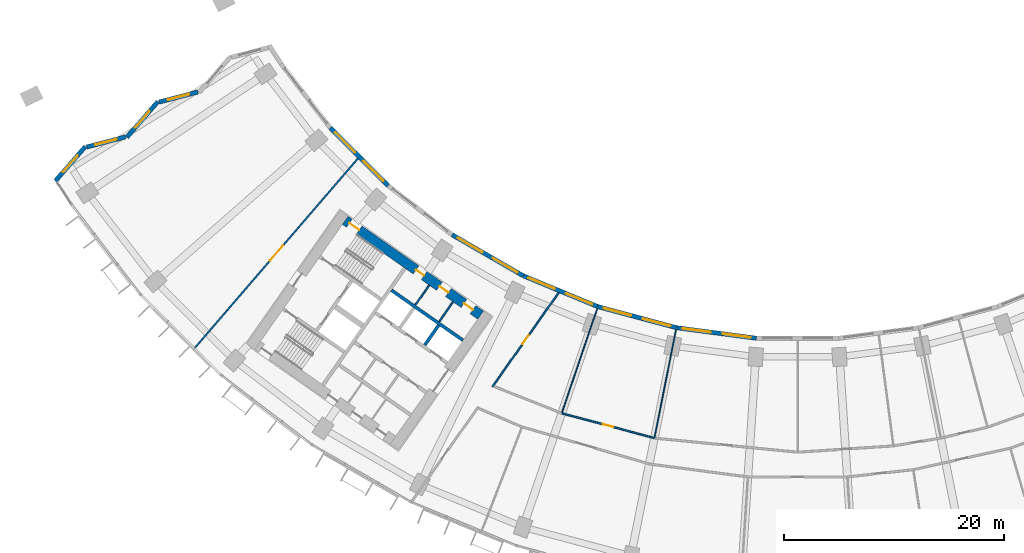
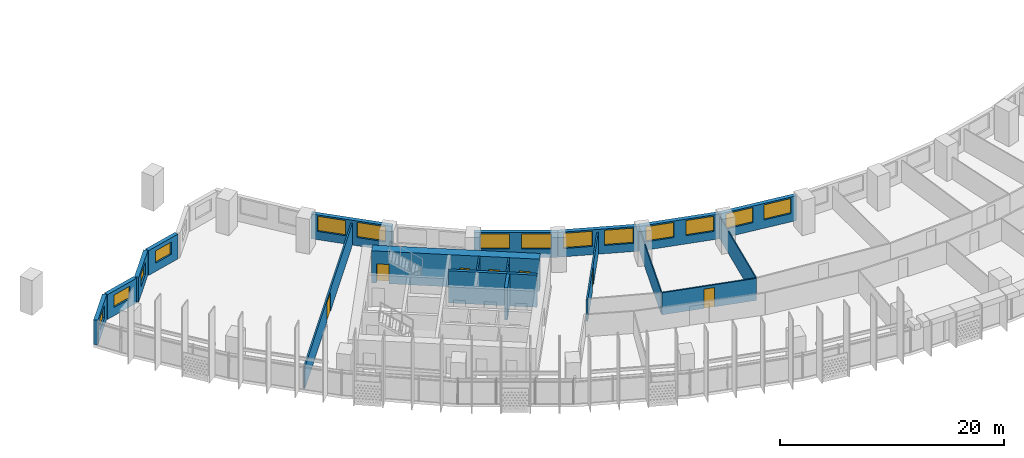
# One storey, part 4 of 32: 19 walls, 14 windows, 7 doors, 21 openings.
"""IFC4 building model written with IfcOpenShell, lengths in metres."""

from ifc_helpers import new_model, si_unit, direction, frame, frame_2d, origin, place, context, subcontext, project, spatial, rectangle, extrude, material, layer, layer_set, type_object, element, fill, save


model = new_model("IFC4")

# Units and contexts
model_context = context("Model", 3, precision=1e-05, world=origin(), true_north=direction((0.0, 1.0)))
body_context = subcontext(model_context, "Body", "Model", "MODEL_VIEW")
ifc_project = project(units=[si_unit("LENGTHUNIT", "METRE"), si_unit("AREAUNIT", "SQUARE_METRE"), si_unit("VOLUMEUNIT", "CUBIC_METRE"), si_unit("PLANEANGLEUNIT", "RADIAN"), si_unit("MASSUNIT", "GRAM", prefix="KILO")], contexts=[model_context])

# Site, building, storey
site_placement = place(None, origin())
site = spatial("IfcSite", under=ifc_project, at=site_placement, CompositionType="ELEMENT")
building_placement = place(site_placement, origin())
building = spatial("IfcBuilding", under=site, at=building_placement, Name="Qamariyya Broadcast Tower", CompositionType="ELEMENT")
storey_placement = place(building_placement, frame((0.0, 0.0, 63.300048828125)))
storey = spatial("IfcBuildingStorey", under=building, at=storey_placement, Name="L12", CompositionType="ELEMENT", Elevation=63.300048828125)

# Wall, openings, doors
ifc_material_1 = material(Name="Concrete C70/85", Category="concrete")
ifc_layer_1 = layer(ifc_material_1, 0.89990234375)
ifc_layer_set_1 = layer_set([ifc_layer_1], Name="Core wall 900 mm Concrete C70/85")
wall_type_1 = type_object("IfcWallType", Name="Core wall 900 mm Concrete C70/85", PredefinedType="SHEAR", material=ifc_layer_set_1)
wall_1_placement = place(storey_placement, frame((-28.8544921875, -54.32421875, 0.0), z_axis=(0.0, 0.0, 1.0), x_axis=(-0.819145767589, 0.573585400304, 0.0)))
wall_1 = element("IfcWall", 1, at=wall_1_placement, inside=storey, type_object=wall_type_1, Name="k-W-L12-WI", PredefinedType="SHEAR", context=body_context, shape_type="SweptSolid", body=[
    extrude(rectangle(XDim=15.04541015625, YDim=0.89990234375, at=frame_2d((7.522705078125, 0.0))), origin(), (0.0, 0.0, 1.0), 3.5),
])
opening_1_placement = place(wall_1_placement, frame((0.85009765625, 0.0, 0.0)))
opening_1 = element("IfcOpeningElement", 2, at=opening_1_placement, cuts=wall_1, Name="Opening KD6-W3", PredefinedType="OPENING", context=body_context, shape_type="SweptSolid", body=[
    extrude(rectangle(XDim=1.0, YDim=2.10009765625, at=frame_2d((0.5, 1.050048828125))), frame((0.0, 0.4599609375, 0.0), z_axis=(0.0, -1.0, 0.0), x_axis=(1.0, 0.0, 0.0)), (0.0, 0.0, 1.0), 0.919921875),
])
opening_2_placement = place(wall_1_placement, frame((3.574951171875, 0.0, 0.0)))
opening_2 = element("IfcOpeningElement", 3, at=opening_2_placement, cuts=wall_1, Name="Opening KD7-W1", PredefinedType="OPENING", context=body_context, shape_type="SweptSolid", body=[
    extrude(rectangle(XDim=1.0, YDim=2.10009765625, at=frame_2d((0.5, 1.050048828125))), frame((0.0, 0.4599609375, 0.0), z_axis=(0.0, -1.0, 0.0), x_axis=(1.0, 0.0, 0.0)), (0.0, 0.0, 1.0), 0.919921875),
])
opening_3_placement = place(wall_1_placement, frame((6.27490234375, 0.0, 0.0)))
opening_3 = element("IfcOpeningElement", 4, at=opening_3_placement, cuts=wall_1, Name="Opening KD5-W1", PredefinedType="OPENING", context=body_context, shape_type="SweptSolid", body=[
    extrude(rectangle(XDim=0.89990234375, YDim=2.10009765625, at=frame_2d((0.449951171875, 1.050048828125))), frame((0.0, 0.4599609375, 0.0), z_axis=(0.0, -1.0, 0.0), x_axis=(1.0, 0.0, 0.0)), (0.0, 0.0, 1.0), 0.919921875),
])
opening_4_placement = place(wall_1_placement, frame((13.495361328125, 0.0, 0.0)))
opening_4 = element("IfcOpeningElement", 5, at=opening_4_placement, cuts=wall_1, Name="Opening KD1-W1", PredefinedType="OPENING", context=body_context, shape_type="SweptSolid", body=[
    extrude(rectangle(XDim=1.10009765625, YDim=2.10009765625, at=frame_2d((0.550048828125, 1.050048828125))), frame((0.0, 0.4599609375, 0.0), z_axis=(0.0, -1.0, 0.0), x_axis=(1.0, 0.0, 0.0)), (0.0, 0.0, 1.0), 0.919921875),
])
ifc_material_2 = material(Name="Steel fire-resisting door leaf", Category="steel")
door_type_1 = type_object("IfcDoorType", Name="Accessible toilet door KD7", OperationType="SINGLE_SWING_LEFT", PredefinedType="DOOR", material=ifc_material_2)
door_1_placement = place(opening_2_placement, origin())
door_1 = element("IfcDoor", 6, at=door_1_placement, inside=storey, type_object=door_type_1, Name="k-W-L12-WI-D9", OperationType="SINGLE_SWING_RIGHT", OverallHeight=2.10009765625, OverallWidth=1.0, PredefinedType="DOOR", context=body_context, shape_type="SweptSolid", body=[
    extrude(rectangle(XDim=1.0, YDim=2.10009765625, at=frame_2d((0.5, 1.050048828125))), frame((0.0, 0.02490234375, 0.0), z_axis=(0.0, -1.0, 0.0), x_axis=(1.0, 0.0, 0.0)), (0.0, 0.0, 1.0), 0.050048828125),
])
fill(opening_2, door_1)
door_type_2 = type_object("IfcDoorType", Name="Core room door KD6", OperationType="SINGLE_SWING_LEFT", PredefinedType="DOOR", material=ifc_material_2)
door_2_placement = place(opening_1_placement, origin())
door_2 = element("IfcDoor", 7, at=door_2_placement, inside=storey, type_object=door_type_2, Name="k-W-L12-WI-D8", OperationType="SINGLE_SWING_LEFT", OverallHeight=2.10009765625, OverallWidth=1.0, PredefinedType="DOOR", context=body_context, shape_type="SweptSolid", body=[
    extrude(rectangle(XDim=1.0, YDim=2.10009765625, at=frame_2d((0.5, 1.050048828125))), frame((0.0, 0.02490234375, 0.0), z_axis=(0.0, -1.0, 0.0), x_axis=(1.0, 0.0, 0.0)), (0.0, 0.0, 1.0), 0.050048828125),
])
fill(opening_1, door_2)
door_type_3 = type_object("IfcDoorType", Name="Stair door KD1", OperationType="SINGLE_SWING_LEFT", PredefinedType="DOOR", material=ifc_material_2)
door_3_placement = place(opening_4_placement, origin())
door_3 = element("IfcDoor", 8, at=door_3_placement, inside=storey, type_object=door_type_3, Name="k-W-L12-WI-D17", OperationType="SINGLE_SWING_RIGHT", OverallHeight=2.10009765625, OverallWidth=1.10009765625, PredefinedType="DOOR", context=body_context, shape_type="SweptSolid", body=[
    extrude(rectangle(XDim=1.10009765625, YDim=2.10009765625, at=frame_2d((0.550048828125, 1.050048828125))), frame((0.0, 0.02490234375, 0.0), z_axis=(0.0, -1.0, 0.0), x_axis=(1.0, 0.0, 0.0)), (0.0, 0.0, 1.0), 0.050048828125),
])
fill(opening_4, door_3)
door_type_4 = type_object("IfcDoorType", Name="Toilet door KD5", OperationType="SINGLE_SWING_LEFT", PredefinedType="DOOR", material=ifc_material_2)
door_4_placement = place(opening_3_placement, origin())
door_4 = element("IfcDoor", 9, at=door_4_placement, inside=storey, type_object=door_type_4, Name="k-W-L12-WI-D10", OperationType="SINGLE_SWING_LEFT", OverallHeight=2.10009765625, OverallWidth=0.89990234375, PredefinedType="DOOR", context=body_context, shape_type="SweptSolid", body=[
    extrude(rectangle(XDim=0.89990234375, YDim=2.10009765625, at=frame_2d((0.449951171875, 1.050048828125))), frame((0.0, 0.02490234375, 0.0), z_axis=(0.0, -1.0, 0.0), x_axis=(1.0, 0.0, 0.0)), (0.0, 0.0, 1.0), 0.050048828125),
])
fill(opening_3, door_4)

# Wall, opening, door
ifc_material_3 = material(Name="Gypsum board partition")
ifc_layer_2 = layer(ifc_material_3, 0.14990234375)
ifc_layer_set_2 = layer_set([ifc_layer_2], Name="Corridor partition 150 EI 60")
wall_type_2 = type_object("IfcWallType", Name="Corridor partition 150 EI 60", PredefinedType="PARTITIONING", material=ifc_layer_set_2)
wall_2_placement = place(storey_placement, frame((-54.842041015625, -57.27685546875, 0.0), z_axis=(0.0, 0.0, 1.0), x_axis=(0.652471531746, 0.757813235739, 0.0)))
wall_2 = element("IfcWall", 10, at=wall_2_placement, inside=storey, type_object=wall_type_2, Name="Partition L12-001", PredefinedType="PARTITIONING", context=body_context, shape_type="SweptSolid", body=[
    extrude(rectangle(XDim=22.71484375, YDim=0.14990234375, at=frame_2d((11.357421875, 0.0))), origin(), (0.0, 0.0, 1.0), 2.39990234375),
])
opening_5_placement = place(wall_2_placement, frame((10.45751953125, 0.0, 0.0)))
opening_5 = element("IfcOpeningElement", 11, at=opening_5_placement, cuts=wall_2, Name="Opening L12-D14", PredefinedType="OPENING", context=body_context, shape_type="SweptSolid", body=[
    extrude(rectangle(XDim=1.800048828125, YDim=2.10009765625, at=frame_2d((0.89990234375, 1.050048828125))), frame((0.0, 0.0849609375, 0.0), z_axis=(0.0, -1.0, 0.0), x_axis=(1.0, 0.0, 0.0)), (0.0, 0.0, 1.0), 0.169921875),
])
ifc_material_4 = material(Name="Timber fire door leaf", Category="wood")
door_type_5 = type_object("IfcDoorType", Name="Double fire door 1800 x 2100 FD60", OperationType="NOTDEFINED", PredefinedType="DOOR", material=ifc_material_4)
door_5_placement = place(opening_5_placement, origin())
door_5 = element("IfcDoor", 12, at=door_5_placement, inside=storey, type_object=door_type_5, Name="Door L12-D14", OperationType="DOUBLE_DOOR_SINGLE_SWING", OverallHeight=2.10009765625, OverallWidth=1.800048828125, PredefinedType="DOOR", context=body_context, shape_type="SweptSolid", body=[
    extrude(rectangle(XDim=1.800048828125, YDim=2.10009765625, at=frame_2d((0.89990234375, 1.050048828125))), frame((0.0, 0.02490234375, 0.0), z_axis=(0.0, -1.0, 0.0), x_axis=(1.0, 0.0, 0.0)), (0.0, 0.0, 1.0), 0.050048828125),
])
fill(opening_5, door_5)

wall_3_placement = place(storey_placement, frame((-21.748291015625, -52.2763671875, 0.0), z_axis=(0.0, 0.0, 1.0), x_axis=(-0.575419434668, -0.817858468322, 0.0)))
wall_3 = element("IfcWall", 13, at=wall_3_placement, inside=storey, type_object=wall_type_2, Name="Partition L12-007", PredefinedType="PARTITIONING", context=body_context, shape_type="SweptSolid", body=[
    extrude(rectangle(XDim=10.46484375, YDim=0.14990234375, at=frame_2d((5.232421875, 0.0))), origin(), (0.0, 0.0, 1.0), 2.39990234375),
])
opening_6_placement = place(wall_3_placement, frame((4.732421875, 0.0, 0.0)))
opening_6 = element("IfcOpeningElement", 14, at=opening_6_placement, cuts=wall_3, Name="Opening L12-D07", PredefinedType="OPENING", context=body_context, shape_type="SweptSolid", body=[
    extrude(rectangle(XDim=1.0, YDim=2.10009765625, at=frame_2d((0.5, 1.050048828125))), frame((0.0, 0.0849609375, 0.0), z_axis=(0.0, -1.0, 0.0), x_axis=(1.0, 0.0, 0.0)), (0.0, 0.0, 1.0), 0.169921875),
])
door_type_6 = type_object("IfcDoorType", Name="Fire door 1000 x 2100 FD60", OperationType="NOTDEFINED", PredefinedType="DOOR", material=ifc_material_4)
door_6_placement = place(opening_6_placement, origin())
door_6 = element("IfcDoor", 15, at=door_6_placement, inside=storey, type_object=door_type_6, Name="Door L12-D07", OperationType="SINGLE_SWING_RIGHT", OverallHeight=2.10009765625, OverallWidth=1.0, PredefinedType="DOOR", context=body_context, shape_type="SweptSolid", body=[
    extrude(rectangle(XDim=1.0, YDim=2.10009765625, at=frame_2d((0.5, 1.050048828125))), frame((0.0, 0.02490234375, 0.0), z_axis=(0.0, -1.0, 0.0), x_axis=(1.0, 0.0, 0.0)), (0.0, 0.0, 1.0), 0.050048828125),
])
fill(opening_6, door_6)

wall_4_placement = place(storey_placement, frame((-21.47216796875, -63.2548828125, 0.0), z_axis=(0.0, 0.0, 1.0), x_axis=(0.965927722938, -0.258811966607, 0.0)))
wall_4 = element("IfcWall", 16, at=wall_4_placement, inside=storey, type_object=wall_type_2, Name="Partition L12-008", PredefinedType="PARTITIONING", context=body_context, shape_type="SweptSolid", body=[
    extrude(rectangle(XDim=8.73779296875, YDim=0.14990234375, at=frame_2d((4.368896484375, 0.0))), origin(), (0.0, 0.0, 1.0), 2.39990234375),
])
opening_7_placement = place(wall_4_placement, frame((3.868896484375, 0.0, 0.0)))
opening_7 = element("IfcOpeningElement", 17, at=opening_7_placement, cuts=wall_4, Name="Opening L12-D08", PredefinedType="OPENING", context=body_context, shape_type="SweptSolid", body=[
    extrude(rectangle(XDim=1.0, YDim=2.10009765625, at=frame_2d((0.5, 1.050048828125))), frame((0.0, 0.0849609375, 0.0), z_axis=(0.0, -1.0, 0.0), x_axis=(1.0, 0.0, 0.0)), (0.0, 0.0, 1.0), 0.169921875),
])
door_7_placement = place(opening_7_placement, origin())
door_7 = element("IfcDoor", 18, at=door_7_placement, inside=storey, type_object=door_type_6, Name="Door L12-D08", OperationType="SINGLE_SWING_RIGHT", OverallHeight=2.10009765625, OverallWidth=1.0, PredefinedType="DOOR", context=body_context, shape_type="SweptSolid", body=[
    extrude(rectangle(XDim=1.0, YDim=2.10009765625, at=frame_2d((0.5, 1.050048828125))), frame((0.0, 0.02490234375, 0.0), z_axis=(0.0, -1.0, 0.0), x_axis=(1.0, 0.0, 0.0)), (0.0, 0.0, 1.0), 0.050048828125),
])
fill(opening_7, door_7)

# Walls
ifc_material_5 = material(Name="Gypsum board partition on steel studs", Category="steel")
ifc_layer_3 = layer(ifc_material_5, 0.14990234375)
ifc_layer_set_3 = layer_set([ifc_layer_3], Name="Gypsum board partition 150 mm")
wall_type_3 = type_object("IfcWallType", Name="Gypsum board partition 150 mm", PredefinedType="PARTITIONING", material=ifc_layer_set_3)
for number, where, z_axis, x_axis, name in (
    (19, (-32.627197265625, -54.91748046875, 0.0), (0.0, 0.0, 1.0), (0.573507030513, 0.819200638399, 0.0), "k-W-L12-NP275"),
    (20, (-34.798095703125, -53.3974609375, 0.0), (0.0, 0.0, 1.0), (0.573633636671, 0.819111989218, 0.0), "k-W-L12-NP540"),
):
    element("IfcWall", number, at=place(storey_placement, frame(where, z_axis=z_axis, x_axis=x_axis)), inside=storey, type_object=wall_type_3, Name=name, PredefinedType="PARTITIONING", context=body_context, shape_type="SweptSolid", body=[
        extrude(rectangle(XDim=2.199951171875, YDim=0.14990234375, at=frame_2d((1.10009765625, 0.0))), origin(), (0.0, 0.0, 1.0), 3.5),
    ])
ifc_material_6 = material(Name="Concrete C60/75", Category="concrete")
ifc_layer_4 = layer(ifc_material_6, 0.300048828125)
ifc_layer_set_4 = layer_set([ifc_layer_4], Name="Lift shaft wall 300 mm Concrete C60/75")
wall_type_4 = type_object("IfcWallType", Name="Lift shaft wall 300 mm Concrete C60/75", PredefinedType="SOLIDWALL", material=ifc_layer_set_4)
wall_5_placement = place(storey_placement, frame((-30.460693359375, -56.61767578125, 0.0), z_axis=(0.0, 0.0, 1.0), x_axis=(-0.819142461705, 0.573590121456, 0.0)))
element("IfcWall", 21, at=wall_5_placement, inside=storey, type_object=wall_type_4, Name="k-W-L12-NB0", PredefinedType="SOLIDWALL", context=body_context, shape_type="SweptSolid", body=[
    extrude(rectangle(XDim=7.949951171875, YDim=0.300048828125, at=frame_2d((3.97509765625, 0.0))), origin(), (0.0, 0.0, 1.0), 3.5),
])
wall_6_placement = place(storey_placement, frame((-33.9384765625, -57.051513671875, 0.0), z_axis=(0.0, 0.0, 1.0), x_axis=(0.573581496053, 0.819148501424, 0.0)))
element("IfcWall", 22, at=wall_6_placement, inside=storey, type_object=wall_type_4, Name="k-W-L12-ND0", PredefinedType="SOLIDWALL", context=body_context, shape_type="SweptSolid", body=[
    extrude(rectangle(XDim=2.2001953125, YDim=0.300048828125, at=frame_2d((1.10009765625, 0.0))), origin(), (0.0, 0.0, 1.0), 3.5),
])
ifc_layer_5 = layer(ifc_material_3, 0.10009765625)
ifc_layer_set_5 = layer_set([ifc_layer_5], Name="Partition 100")
wall_type_5 = type_object("IfcWallType", Name="Partition 100", PredefinedType="PARTITIONING", material=ifc_layer_set_5)
for number, where, z_axis, x_axis, name in (
    (23, (-18.24169921875, -53.73828125, 0.0), (0.0, 0.0, 1.0), (-0.321436265026, -0.946931215837, 0.0), "Partition L12-009"),
    (24, (-11.0712890625, -55.65966796875, 0.0), (0.0, 0.0, 1.0), (-0.195094645032, -0.980784420492, 0.0), "Partition L12-012"),
):
    element("IfcWall", number, at=place(storey_placement, frame(where, z_axis=z_axis, x_axis=x_axis)), inside=storey, type_object=wall_type_5, Name=name, PredefinedType="PARTITIONING", context=body_context, shape_type="SweptSolid", body=[
        extrude(rectangle(XDim=9.974853515625, YDim=0.10009765625, at=frame_2d((4.9873046875, 0.0))), origin(), (0.0, 0.0, 1.0), 2.39990234375),
    ])

# Wall, opening, window
ifc_material_7 = material(Name="Terracotta", Category="masonry")
ifc_layer_6 = layer(ifc_material_7, 0.39990234375)
ifc_layer_set_6 = layer_set([ifc_layer_6], Name="Terracotta clad wall 400")
wall_type_6 = type_object("IfcWallType", Name="Terracotta clad wall 400", PredefinedType="SOLIDWALL", material=ifc_layer_set_6)
wall_7_placement = place(storey_placement, frame((-54.583740234375, -34.0078125, 0.0), z_axis=(0.0, 0.0, 1.0), x_axis=(-0.967799683105, -0.251721618821, 0.0)))
wall_7 = element("IfcWall", 25, at=wall_7_placement, inside=storey, type_object=wall_type_6, Name="e-wl-L12-capW2", PredefinedType="SOLIDWALL", context=body_context, shape_type="SweptSolid", body=[
    extrude(rectangle(XDim=3.647705078125, YDim=0.39990234375, at=frame_2d((1.82373046875, 0.0))), origin(), (0.0, 0.0, 1.0), 2.699951171875),
])
opening_8_placement = place(wall_7_placement, frame((0.82373046875, 0.0, 0.89990234375)))
opening_8 = element("IfcOpeningElement", 26, at=opening_8_placement, cuts=wall_7, Name="Opening W4", PredefinedType="OPENING", context=body_context, shape_type="SweptSolid", body=[
    extrude(rectangle(XDim=2.0, YDim=1.35009765625, at=frame_2d((1.0, 0.675048828125))), frame((0.0, 0.2099609375, 0.0), z_axis=(0.0, -1.0, 0.0), x_axis=(1.0, 0.0, 0.0)), (0.0, 0.0, 1.0), 0.419921875),
])
ifc_material_8 = material(Name="Clear low-e double glazed unit in aluminium frame", Category="aluminium")
window_type_1 = type_object("IfcWindowType", Name="Horn bay window 2000 x 1350", PartitioningType="SINGLE_PANEL", PredefinedType="WINDOW", material=ifc_material_8)
window_1_placement = place(opening_8_placement, origin())
window_1 = element("IfcWindow", 27, at=window_1_placement, inside=storey, type_object=window_type_1, Name="e-w-L12-capW2", OverallHeight=1.35009765625, OverallWidth=2.0, PartitioningType="SINGLE_PANEL", PredefinedType="WINDOW", context=body_context, shape_type="SweptSolid", body=[
    extrude(rectangle(XDim=2.0, YDim=1.35009765625, at=frame_2d((1.0, 0.675048828125))), frame((0.0, 0.030029296875, 0.0), z_axis=(0.0, -1.0, 0.0), x_axis=(1.0, 0.0, 0.0)), (0.0, 0.0, 1.0), 0.06005859375),
])
fill(opening_8, window_1)

wall_8_placement = place(storey_placement, frame((-58.238525390625, -34.894287109375, 0.0), z_axis=(0.0, 0.0, 1.0), x_axis=(-0.657163358548, -0.753748180881, 0.0)))
wall_8 = element("IfcWall", 28, at=wall_8_placement, inside=storey, type_object=wall_type_6, Name="e-wl-L12-capW3", PredefinedType="SOLIDWALL", context=body_context, shape_type="SweptSolid", body=[
    extrude(rectangle(XDim=4.294677734375, YDim=0.39990234375, at=frame_2d((2.1474609375, 0.0))), origin(), (0.0, 0.0, 1.0), 2.699951171875),
])
opening_9_placement = place(wall_8_placement, frame((1.147216796875, 0.0, 0.89990234375)))
opening_9 = element("IfcOpeningElement", 29, at=opening_9_placement, cuts=wall_8, Name="Opening W4", PredefinedType="OPENING", context=body_context, shape_type="SweptSolid", body=[
    extrude(rectangle(XDim=2.0, YDim=1.35009765625, at=frame_2d((1.0, 0.675048828125))), frame((0.0, 0.2099609375, 0.0), z_axis=(0.0, -1.0, 0.0), x_axis=(1.0, 0.0, 0.0)), (0.0, 0.0, 1.0), 0.419921875),
])
window_2_placement = place(opening_9_placement, origin())
window_2 = element("IfcWindow", 30, at=window_2_placement, inside=storey, type_object=window_type_1, Name="e-w-L12-capW3", OverallHeight=1.35009765625, OverallWidth=2.0, PartitioningType="SINGLE_PANEL", PredefinedType="WINDOW", context=body_context, shape_type="SweptSolid", body=[
    extrude(rectangle(XDim=2.0, YDim=1.35009765625, at=frame_2d((1.0, 0.675048828125))), frame((0.0, 0.030029296875, 0.0), z_axis=(0.0, -1.0, 0.0), x_axis=(1.0, 0.0, 0.0)), (0.0, 0.0, 1.0), 0.06005859375),
])
fill(opening_9, window_2)

wall_9_placement = place(storey_placement, frame((-61.185302734375, -38.099609375, 0.0), z_axis=(0.0, 0.0, 1.0), x_axis=(-0.967784039245, -0.251781757445, 0.0)))
wall_9 = element("IfcWall", 31, at=wall_9_placement, inside=storey, type_object=wall_type_6, Name="e-wl-L12-capW4", PredefinedType="SOLIDWALL", context=body_context, shape_type="SweptSolid", body=[
    extrude(rectangle(XDim=3.648681640625, YDim=0.39990234375, at=frame_2d((1.82421875, 0.0))), origin(), (0.0, 0.0, 1.0), 2.699951171875),
])
opening_10_placement = place(wall_9_placement, frame((0.824462890625, 0.0, 0.89990234375)))
opening_10 = element("IfcOpeningElement", 32, at=opening_10_placement, cuts=wall_9, Name="Opening W4", PredefinedType="OPENING", context=body_context, shape_type="SweptSolid", body=[
    extrude(rectangle(XDim=2.0, YDim=1.35009765625, at=frame_2d((1.0, 0.675048828125))), frame((0.0, 0.2099609375, 0.0), z_axis=(0.0, -1.0, 0.0), x_axis=(1.0, 0.0, 0.0)), (0.0, 0.0, 1.0), 0.419921875),
])
window_3_placement = place(opening_10_placement, origin())
window_3 = element("IfcWindow", 33, at=window_3_placement, inside=storey, type_object=window_type_1, Name="e-w-L12-capW4", OverallHeight=1.35009765625, OverallWidth=2.0, PartitioningType="SINGLE_PANEL", PredefinedType="WINDOW", context=body_context, shape_type="SweptSolid", body=[
    extrude(rectangle(XDim=2.0, YDim=1.35009765625, at=frame_2d((1.0, 0.675048828125))), frame((0.0, 0.030029296875, 0.0), z_axis=(0.0, -1.0, 0.0), x_axis=(1.0, 0.0, 0.0)), (0.0, 0.0, 1.0), 0.06005859375),
])
fill(opening_10, window_3)

wall_10_placement = place(storey_placement, frame((-64.841064453125, -38.986572265625, 0.0), z_axis=(0.0, 0.0, 1.0), x_axis=(-0.657086010452, -0.753815610656, 0.0)))
wall_10 = element("IfcWall", 34, at=wall_10_placement, inside=storey, type_object=wall_type_6, Name="e-wl-L12-capW5", PredefinedType="SOLIDWALL", context=body_context, shape_type="SweptSolid", body=[
    extrude(rectangle(XDim=4.12158203125, YDim=0.39990234375, at=frame_2d((2.060791015625, 0.0))), origin(), (0.0, 0.0, 1.0), 2.699951171875),
])
opening_11_placement = place(wall_10_placement, frame((1.060791015625, 0.0, 0.89990234375)))
opening_11 = element("IfcOpeningElement", 35, at=opening_11_placement, cuts=wall_10, Name="Opening W4", PredefinedType="OPENING", context=body_context, shape_type="SweptSolid", body=[
    extrude(rectangle(XDim=2.0, YDim=1.35009765625, at=frame_2d((1.0, 0.675048828125))), frame((0.0, 0.2099609375, 0.0), z_axis=(0.0, -1.0, 0.0), x_axis=(1.0, 0.0, 0.0)), (0.0, 0.0, 1.0), 0.419921875),
])
window_4_placement = place(opening_11_placement, origin())
window_4 = element("IfcWindow", 36, at=window_4_placement, inside=storey, type_object=window_type_1, Name="e-w-L12-capW5", OverallHeight=1.35009765625, OverallWidth=2.0, PartitioningType="SINGLE_PANEL", PredefinedType="WINDOW", context=body_context, shape_type="SweptSolid", body=[
    extrude(rectangle(XDim=2.0, YDim=1.35009765625, at=frame_2d((1.0, 0.675048828125))), frame((0.0, 0.030029296875, 0.0), z_axis=(0.0, -1.0, 0.0), x_axis=(1.0, 0.0, 0.0)), (0.0, 0.0, 1.0), 0.06005859375),
])
fill(opening_11, window_4)

# Wall, openings, windows
wall_11_placement = place(storey_placement, frame((-37.2685546875, -42.534423828125, 0.0), z_axis=(0.0, 0.0, 1.0), x_axis=(-0.707106781187, 0.707106781187, 0.0)))
wall_11 = element("IfcWall", 37, at=wall_11_placement, inside=storey, type_object=wall_type_6, Name="e-wl-L12-in20", PredefinedType="SOLIDWALL", context=body_context, shape_type="SweptSolid", body=[
    extrude(rectangle(XDim=7.447021484375, YDim=0.39990234375, at=frame_2d((3.7236328125, 0.0))), origin(), (0.0, 0.0, 1.0), 2.699951171875),
])
opening_12_placement = place(wall_11_placement, frame((4.266357421875, 0.0, 0.89990234375)))
opening_12 = element("IfcOpeningElement", 38, at=opening_12_placement, cuts=wall_11, Name="Opening W1", PredefinedType="OPENING", context=body_context, shape_type="SweptSolid", body=[
    extrude(rectangle(XDim=2.60009765625, YDim=1.64990234375, at=frame_2d((1.300048828125, 0.824951171875))), frame((0.0, 0.2099609375, 0.0), z_axis=(0.0, -1.0, 0.0), x_axis=(1.0, 0.0, 0.0)), (0.0, 0.0, 1.0), 0.419921875),
])
opening_13_placement = place(wall_11_placement, frame((0.580810546875, 0.0, 0.89990234375)))
opening_13 = element("IfcOpeningElement", 39, at=opening_13_placement, cuts=wall_11, Name="Opening W1", PredefinedType="OPENING", context=body_context, shape_type="SweptSolid", body=[
    extrude(rectangle(XDim=2.60009765625, YDim=1.64990234375, at=frame_2d((1.300048828125, 0.824951171875))), frame((0.0, 0.2099609375, 0.0), z_axis=(0.0, -1.0, 0.0), x_axis=(1.0, 0.0, 0.0)), (0.0, 0.0, 1.0), 0.419921875),
])
window_type_2 = type_object("IfcWindowType", Name="Ribbon window 2600 x 1650", PartitioningType="SINGLE_PANEL", PredefinedType="WINDOW", material=ifc_material_8)
window_5_placement = place(opening_12_placement, origin())
window_5 = element("IfcWindow", 40, at=window_5_placement, inside=storey, type_object=window_type_2, Name="e-w-L12-in02-0", OverallHeight=1.64990234375, OverallWidth=2.60009765625, PartitioningType="SINGLE_PANEL", PredefinedType="WINDOW", context=body_context, shape_type="SweptSolid", body=[
    extrude(rectangle(XDim=2.60009765625, YDim=1.64990234375, at=frame_2d((1.300048828125, 0.824951171875))), frame((0.0, 0.030029296875, 0.0), z_axis=(0.0, -1.0, 0.0), x_axis=(1.0, 0.0, 0.0)), (0.0, 0.0, 1.0), 0.06005859375),
])
fill(opening_12, window_5)
window_6_placement = place(opening_13_placement, origin())
window_6 = element("IfcWindow", 41, at=window_6_placement, inside=storey, type_object=window_type_2, Name="e-w-L12-in02-1", OverallHeight=1.64990234375, OverallWidth=2.60009765625, PartitioningType="SINGLE_PANEL", PredefinedType="WINDOW", context=body_context, shape_type="SweptSolid", body=[
    extrude(rectangle(XDim=2.60009765625, YDim=1.64990234375, at=frame_2d((1.300048828125, 0.824951171875))), frame((0.0, 0.030029296875, 0.0), z_axis=(0.0, -1.0, 0.0), x_axis=(1.0, 0.0, 0.0)), (0.0, 0.0, 1.0), 0.06005859375),
])
fill(opening_13, window_6)

wall_12_placement = place(storey_placement, frame((-24.989990234375, -50.73095703125, 0.0), z_axis=(0.0, 0.0, 1.0), x_axis=(-0.866037641005, 0.499978803913, 0.0)))
wall_12 = element("IfcWall", 42, at=wall_12_placement, inside=storey, type_object=wall_type_6, Name="e-wl-L12-in40", PredefinedType="SOLIDWALL", context=body_context, shape_type="SweptSolid", body=[
    extrude(rectangle(XDim=7.447021484375, YDim=0.39990234375, at=frame_2d((3.7236328125, 0.0))), origin(), (0.0, 0.0, 1.0), 2.699951171875),
])
opening_14_placement = place(wall_12_placement, frame((4.266357421875, 0.0, 0.89990234375)))
opening_14 = element("IfcOpeningElement", 43, at=opening_14_placement, cuts=wall_12, Name="Opening W1", PredefinedType="OPENING", context=body_context, shape_type="SweptSolid", body=[
    extrude(rectangle(XDim=2.60009765625, YDim=1.64990234375, at=frame_2d((1.300048828125, 0.824951171875))), frame((0.0, 0.2099609375, 0.0), z_axis=(0.0, -1.0, 0.0), x_axis=(1.0, 0.0, 0.0)), (0.0, 0.0, 1.0), 0.419921875),
])
opening_15_placement = place(wall_12_placement, frame((0.580810546875, 0.0, 0.89990234375)))
opening_15 = element("IfcOpeningElement", 44, at=opening_15_placement, cuts=wall_12, Name="Opening W1", PredefinedType="OPENING", context=body_context, shape_type="SweptSolid", body=[
    extrude(rectangle(XDim=2.60009765625, YDim=1.64990234375, at=frame_2d((1.300048828125, 0.824951171875))), frame((0.0, 0.2099609375, 0.0), z_axis=(0.0, -1.0, 0.0), x_axis=(1.0, 0.0, 0.0)), (0.0, 0.0, 1.0), 0.419921875),
])
window_7_placement = place(opening_14_placement, origin())
window_7 = element("IfcWindow", 45, at=window_7_placement, inside=storey, type_object=window_type_2, Name="e-w-L12-in04-0", OverallHeight=1.64990234375, OverallWidth=2.60009765625, PartitioningType="SINGLE_PANEL", PredefinedType="WINDOW", context=body_context, shape_type="SweptSolid", body=[
    extrude(rectangle(XDim=2.60009765625, YDim=1.64990234375, at=frame_2d((1.300048828125, 0.824951171875))), frame((0.0, 0.030029296875, 0.0), z_axis=(0.0, -1.0, 0.0), x_axis=(1.0, 0.0, 0.0)), (0.0, 0.0, 1.0), 0.06005859375),
])
fill(opening_14, window_7)
window_8_placement = place(opening_15_placement, origin())
window_8 = element("IfcWindow", 46, at=window_8_placement, inside=storey, type_object=window_type_2, Name="e-w-L12-in04-1", OverallHeight=1.64990234375, OverallWidth=2.60009765625, PartitioningType="SINGLE_PANEL", PredefinedType="WINDOW", context=body_context, shape_type="SweptSolid", body=[
    extrude(rectangle(XDim=2.60009765625, YDim=1.64990234375, at=frame_2d((1.300048828125, 0.824951171875))), frame((0.0, 0.030029296875, 0.0), z_axis=(0.0, -1.0, 0.0), x_axis=(1.0, 0.0, 0.0)), (0.0, 0.0, 1.0), 0.06005859375),
])
fill(opening_15, window_8)

wall_13_placement = place(storey_placement, frame((-18.224365234375, -53.52978515625, 0.0), z_axis=(0.0, 0.0, 1.0), x_axis=(-0.923891626322, 0.382654234018, 0.0)))
wall_13 = element("IfcWall", 47, at=wall_13_placement, inside=storey, type_object=wall_type_6, Name="e-wl-L12-in50", PredefinedType="SOLIDWALL", context=body_context, shape_type="SweptSolid", body=[
    extrude(rectangle(XDim=7.295654296875, YDim=0.39990234375, at=frame_2d((3.64794921875, 0.0))), origin(), (0.0, 0.0, 1.0), 2.699951171875),
])
opening_16_placement = place(wall_13_placement, frame((4.190673828125, 0.0, 0.89990234375)))
opening_16 = element("IfcOpeningElement", 48, at=opening_16_placement, cuts=wall_13, Name="Opening W1", PredefinedType="OPENING", context=body_context, shape_type="SweptSolid", body=[
    extrude(rectangle(XDim=2.60009765625, YDim=1.64990234375, at=frame_2d((1.300048828125, 0.824951171875))), frame((0.0, 0.2099609375, 0.0), z_axis=(0.0, -1.0, 0.0), x_axis=(1.0, 0.0, 0.0)), (0.0, 0.0, 1.0), 0.419921875),
])
opening_17_placement = place(wall_13_placement, frame((0.505126953125, 0.0, 0.89990234375)))
opening_17 = element("IfcOpeningElement", 49, at=opening_17_placement, cuts=wall_13, Name="Opening W1", PredefinedType="OPENING", context=body_context, shape_type="SweptSolid", body=[
    extrude(rectangle(XDim=2.60009765625, YDim=1.64990234375, at=frame_2d((1.300048828125, 0.824951171875))), frame((0.0, 0.2099609375, 0.0), z_axis=(0.0, -1.0, 0.0), x_axis=(1.0, 0.0, 0.0)), (0.0, 0.0, 1.0), 0.419921875),
])
window_9_placement = place(opening_16_placement, origin())
window_9 = element("IfcWindow", 50, at=window_9_placement, inside=storey, type_object=window_type_2, Name="e-w-L12-in05-0", OverallHeight=1.64990234375, OverallWidth=2.60009765625, PartitioningType="SINGLE_PANEL", PredefinedType="WINDOW", context=body_context, shape_type="SweptSolid", body=[
    extrude(rectangle(XDim=2.60009765625, YDim=1.64990234375, at=frame_2d((1.300048828125, 0.824951171875))), frame((0.0, 0.030029296875, 0.0), z_axis=(0.0, -1.0, 0.0), x_axis=(1.0, 0.0, 0.0)), (0.0, 0.0, 1.0), 0.06005859375),
])
fill(opening_16, window_9)
window_10_placement = place(opening_17_placement, origin())
window_10 = element("IfcWindow", 51, at=window_10_placement, inside=storey, type_object=window_type_2, Name="e-w-L12-in05-1", OverallHeight=1.64990234375, OverallWidth=2.60009765625, PartitioningType="SINGLE_PANEL", PredefinedType="WINDOW", context=body_context, shape_type="SweptSolid", body=[
    extrude(rectangle(XDim=2.60009765625, YDim=1.64990234375, at=frame_2d((1.300048828125, 0.824951171875))), frame((0.0, 0.030029296875, 0.0), z_axis=(0.0, -1.0, 0.0), x_axis=(1.0, 0.0, 0.0)), (0.0, 0.0, 1.0), 0.06005859375),
])
fill(opening_17, window_10)

wall_14_placement = place(storey_placement, frame((-11.00830078125, -55.47021484375, 0.0), z_axis=(0.0, 0.0, 1.0), x_axis=(-0.965924637935, 0.25882348006, 0.0)))
wall_14 = element("IfcWall", 52, at=wall_14_placement, inside=storey, type_object=wall_type_6, Name="e-wl-L12-in60", PredefinedType="SOLIDWALL", context=body_context, shape_type="SweptSolid", body=[
    extrude(rectangle(XDim=7.447021484375, YDim=0.39990234375, at=frame_2d((3.7236328125, 0.0))), origin(), (0.0, 0.0, 1.0), 2.699951171875),
])
opening_18_placement = place(wall_14_placement, frame((4.266357421875, 0.0, 0.89990234375)))
opening_18 = element("IfcOpeningElement", 53, at=opening_18_placement, cuts=wall_14, Name="Opening W1", PredefinedType="OPENING", context=body_context, shape_type="SweptSolid", body=[
    extrude(rectangle(XDim=2.60009765625, YDim=1.64990234375, at=frame_2d((1.300048828125, 0.824951171875))), frame((0.0, 0.2099609375, 0.0), z_axis=(0.0, -1.0, 0.0), x_axis=(1.0, 0.0, 0.0)), (0.0, 0.0, 1.0), 0.419921875),
])
opening_19_placement = place(wall_14_placement, frame((0.580810546875, 0.0, 0.89990234375)))
opening_19 = element("IfcOpeningElement", 54, at=opening_19_placement, cuts=wall_14, Name="Opening W1", PredefinedType="OPENING", context=body_context, shape_type="SweptSolid", body=[
    extrude(rectangle(XDim=2.60009765625, YDim=1.64990234375, at=frame_2d((1.300048828125, 0.824951171875))), frame((0.0, 0.2099609375, 0.0), z_axis=(0.0, -1.0, 0.0), x_axis=(1.0, 0.0, 0.0)), (0.0, 0.0, 1.0), 0.419921875),
])
window_11_placement = place(opening_18_placement, origin())
window_11 = element("IfcWindow", 55, at=window_11_placement, inside=storey, type_object=window_type_2, Name="e-w-L12-in06-0", OverallHeight=1.64990234375, OverallWidth=2.60009765625, PartitioningType="SINGLE_PANEL", PredefinedType="WINDOW", context=body_context, shape_type="SweptSolid", body=[
    extrude(rectangle(XDim=2.60009765625, YDim=1.64990234375, at=frame_2d((1.300048828125, 0.824951171875))), frame((0.0, 0.030029296875, 0.0), z_axis=(0.0, -1.0, 0.0), x_axis=(1.0, 0.0, 0.0)), (0.0, 0.0, 1.0), 0.06005859375),
])
fill(opening_18, window_11)
window_12_placement = place(opening_19_placement, origin())
window_12 = element("IfcWindow", 56, at=window_12_placement, inside=storey, type_object=window_type_2, Name="e-w-L12-in06-1", OverallHeight=1.64990234375, OverallWidth=2.60009765625, PartitioningType="SINGLE_PANEL", PredefinedType="WINDOW", context=body_context, shape_type="SweptSolid", body=[
    extrude(rectangle(XDim=2.60009765625, YDim=1.64990234375, at=frame_2d((1.300048828125, 0.824951171875))), frame((0.0, 0.030029296875, 0.0), z_axis=(0.0, -1.0, 0.0), x_axis=(1.0, 0.0, 0.0)), (0.0, 0.0, 1.0), 0.06005859375),
])
fill(opening_19, window_12)

wall_15_placement = place(storey_placement, frame((-3.748779296875, -56.422607421875, 0.0), z_axis=(0.0, 0.0, 1.0), x_axis=(-0.99144746031, 0.130506449818, 0.0)))
wall_15 = element("IfcWall", 57, at=wall_15_placement, inside=storey, type_object=wall_type_6, Name="e-wl-L12-in70", PredefinedType="SOLIDWALL", context=body_context, shape_type="SweptSolid", body=[
    extrude(rectangle(XDim=7.2958984375, YDim=0.39990234375, at=frame_2d((3.64794921875, 0.0))), origin(), (0.0, 0.0, 1.0), 2.699951171875),
])
opening_20_placement = place(wall_15_placement, frame((4.190673828125, 0.0, 0.89990234375)))
opening_20 = element("IfcOpeningElement", 58, at=opening_20_placement, cuts=wall_15, Name="Opening W1", PredefinedType="OPENING", context=body_context, shape_type="SweptSolid", body=[
    extrude(rectangle(XDim=2.60009765625, YDim=1.64990234375, at=frame_2d((1.300048828125, 0.824951171875))), frame((0.0, 0.2099609375, 0.0), z_axis=(0.0, -1.0, 0.0), x_axis=(1.0, 0.0, 0.0)), (0.0, 0.0, 1.0), 0.419921875),
])
opening_21_placement = place(wall_15_placement, frame((0.505126953125, 0.0, 0.89990234375)))
opening_21 = element("IfcOpeningElement", 59, at=opening_21_placement, cuts=wall_15, Name="Opening W1", PredefinedType="OPENING", context=body_context, shape_type="SweptSolid", body=[
    extrude(rectangle(XDim=2.60009765625, YDim=1.64990234375, at=frame_2d((1.300048828125, 0.824951171875))), frame((0.0, 0.2099609375, 0.0), z_axis=(0.0, -1.0, 0.0), x_axis=(1.0, 0.0, 0.0)), (0.0, 0.0, 1.0), 0.419921875),
])
window_13_placement = place(opening_20_placement, origin())
window_13 = element("IfcWindow", 60, at=window_13_placement, inside=storey, type_object=window_type_2, Name="e-w-L12-in07-0", OverallHeight=1.64990234375, OverallWidth=2.60009765625, PartitioningType="SINGLE_PANEL", PredefinedType="WINDOW", context=body_context, shape_type="SweptSolid", body=[
    extrude(rectangle(XDim=2.60009765625, YDim=1.64990234375, at=frame_2d((1.300048828125, 0.824951171875))), frame((0.0, 0.030029296875, 0.0), z_axis=(0.0, -1.0, 0.0), x_axis=(1.0, 0.0, 0.0)), (0.0, 0.0, 1.0), 0.06005859375),
])
fill(opening_20, window_13)
window_14_placement = place(opening_21_placement, origin())
window_14 = element("IfcWindow", 61, at=window_14_placement, inside=storey, type_object=window_type_2, Name="e-w-L12-in07-1", OverallHeight=1.64990234375, OverallWidth=2.60009765625, PartitioningType="SINGLE_PANEL", PredefinedType="WINDOW", context=body_context, shape_type="SweptSolid", body=[
    extrude(rectangle(XDim=2.60009765625, YDim=1.64990234375, at=frame_2d((1.300048828125, 0.824951171875))), frame((0.0, 0.030029296875, 0.0), z_axis=(0.0, -1.0, 0.0), x_axis=(1.0, 0.0, 0.0)), (0.0, 0.0, 1.0), 0.06005859375),
])
fill(opening_21, window_14)

save(model, "model.ifc")
